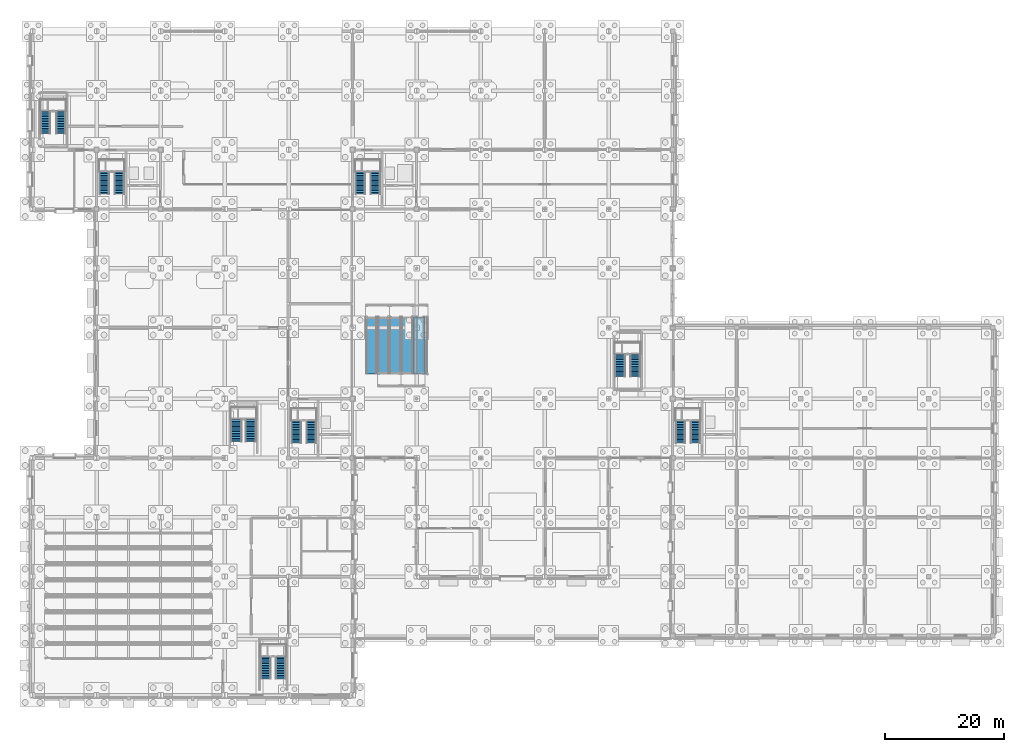
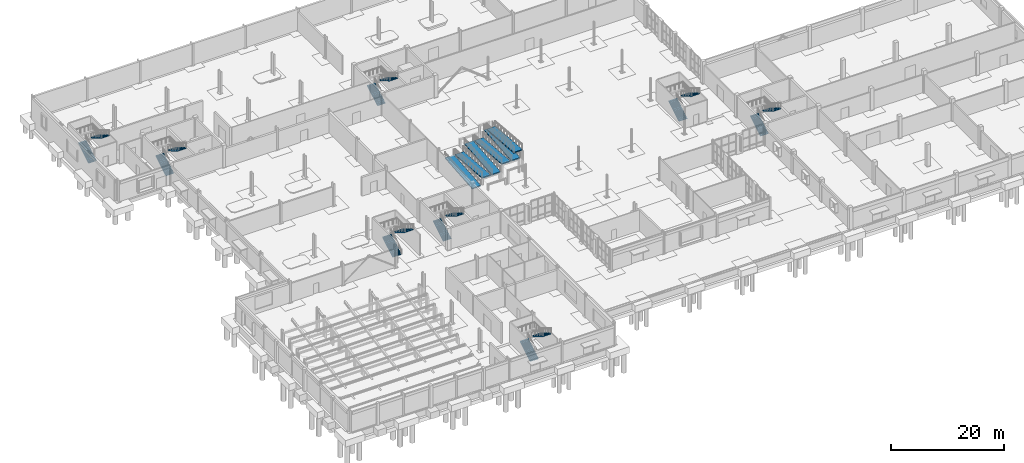
# One storey, part 59 of 73: 16 stair flights, 6 ramp flights, 9 elements without a shape of their own.
"""IFC4 building model written with IfcOpenShell, lengths in metres."""

from ifc_helpers import new_model, si_unit, direction, frame, origin, place, context, subcontext, project, spatial, polyline, outline, extrude, material, layer, layer_set, type_object, element, aggregate, save


model = new_model("IFC4")

# Units and contexts
model_context = context("Model", 3, precision=1e-05, world=origin(), true_north=direction((0.0, 1.0)))
body_context = subcontext(model_context, "Body", "Model", "MODEL_VIEW")
ifc_project = project(units=[si_unit("LENGTHUNIT", "METRE"), si_unit("AREAUNIT", "SQUARE_METRE"), si_unit("VOLUMEUNIT", "CUBIC_METRE"), si_unit("PLANEANGLEUNIT", "RADIAN"), si_unit("MASSUNIT", "GRAM", prefix="KILO")], contexts=[model_context])

# Site, building, storey
site_placement = place(None, origin())
site = spatial("IfcSite", under=ifc_project, at=site_placement, CompositionType="ELEMENT")
building_placement = place(site_placement, origin())
building = spatial("IfcBuilding", under=site, at=building_placement, Name="Tasgan Crest Museum", CompositionType="ELEMENT")
storey_placement = place(building_placement, origin())
storey = spatial("IfcBuildingStorey", under=building, at=storey_placement, Name="L00", CompositionType="ELEMENT", Elevation=0.0)

# Stair, stair flights
ifc_material_1 = material(Name="Concrete C35/45", Category="concrete")
stair_type_1 = type_object("IfcStairType", Name="ST-CORE-48", PredefinedType="HALF_TURN_STAIR", material=ifc_material_1)
stair_1_placement = place(storey_placement, origin())
stair_1 = element("IfcStair", 1, at=stair_1_placement, inside=storey, type_object=stair_type_1, Name="Stair ST-GP-L00 L00", PredefinedType="HALF_TURN_STAIR")
ifc_material_2 = material(Name="Concrete C35/45", Category="concrete")
stair_flight_type_1 = type_object("IfcStairFlightType", Name="SF-PLINTH-1800", PredefinedType="STRAIGHT", material=ifc_material_2)
stair_flight_1_placement = place(storey_placement, frame((34.3798828125, 42.75, 0.0), z_axis=(0.0, 0.0, 1.0), x_axis=(0.0, 1.0, 0.0)))
stair_flight_1 = element("IfcStairFlight", 2, at=stair_flight_1_placement, type_object=stair_flight_type_1, Name="ST-GP-L00 flight 1", NumberOfRisers=14, NumberOfTreads=13, PredefinedType="STRAIGHT", RiserHeight=0.171428571, TreadLength=0.285, context=body_context, shape_type="SweptSolid", body=[
    extrude(outline(polyline([(0.0, 0.0), (0.0, 0.17138671875), (0.284912109375, 0.17138671875), (0.284912109375, 0.3427734375), (0.570068359375, 0.3427734375), (0.570068359375, 0.514404296875), (0.85498046875, 0.514404296875), (0.85498046875, 0.685791015625), (1.139892578125, 0.685791015625), (1.139892578125, 0.857177734375), (1.425048828125, 0.857177734375), (1.425048828125, 1.028564453125), (1.7099609375, 1.028564453125), (1.7099609375, 1.199951171875), (1.9951171875, 1.199951171875), (1.9951171875, 1.371337890625), (2.280029296875, 1.371337890625), (2.280029296875, 1.54296875), (2.56494140625, 1.54296875), (2.56494140625, 1.71435546875), (2.85009765625, 1.71435546875), (2.85009765625, 1.8857421875), (3.135009765625, 1.8857421875), (3.135009765625, 2.05712890625), (3.419921875, 2.05712890625), (3.419921875, 2.228515625), (3.705078125, 2.228515625), (3.705078125, 2.39990234375), (3.705078125, 2.0537109375), (0.290771484375, 0.0), (0.0, 0.0)])), frame((0.0, 0.89990234375, 0.0), z_axis=(0.0, -1.0, 0.0), x_axis=(1.0, 0.0, 0.0)), (0.0, 0.0, 1.0), 1.800048828125),
])
stair_flight_2_placement = place(storey_placement, frame((36.820068359375, 46.455078125, 2.39990234375), z_axis=(0.0, 0.0, 1.0), x_axis=(0.0, -1.0, 0.0)))
stair_flight_2 = element("IfcStairFlight", 3, at=stair_flight_2_placement, type_object=stair_flight_type_1, Name="ST-GP-L00 flight 2", NumberOfRisers=14, NumberOfTreads=13, PredefinedType="STRAIGHT", RiserHeight=0.171428571, TreadLength=0.285, context=body_context, shape_type="SweptSolid", body=[
    extrude(outline(polyline([(0.0, 0.0), (0.0, 0.17138671875), (0.284912109375, 0.17138671875), (0.284912109375, 0.3427734375), (0.570068359375, 0.3427734375), (0.570068359375, 0.514404296875), (0.85498046875, 0.514404296875), (0.85498046875, 0.685791015625), (1.139892578125, 0.685791015625), (1.139892578125, 0.857177734375), (1.425048828125, 0.857177734375), (1.425048828125, 1.028564453125), (1.7099609375, 1.028564453125), (1.7099609375, 1.199951171875), (1.9951171875, 1.199951171875), (1.9951171875, 1.371337890625), (2.280029296875, 1.371337890625), (2.280029296875, 1.54296875), (2.56494140625, 1.54296875), (2.56494140625, 1.71435546875), (2.85009765625, 1.71435546875), (2.85009765625, 1.8857421875), (3.135009765625, 1.8857421875), (3.135009765625, 2.05712890625), (3.419921875, 2.05712890625), (3.419921875, 2.228515625), (3.705078125, 2.228515625), (3.705078125, 2.39990234375), (3.705078125, 2.0537109375), (0.290771484375, 0.0), (0.0, 0.0)])), frame((0.0, 0.89990234375, 0.0), z_axis=(0.0, -1.0, 0.0), x_axis=(1.0, 0.0, 0.0)), (0.0, 0.0, 1.0), 1.800048828125),
])
aggregate(stair_1, [stair_flight_1, stair_flight_2])

stair_2_placement = place(storey_placement, origin())
stair_2 = element("IfcStair", 4, at=stair_2_placement, inside=storey, type_object=stair_type_1, Name="Stair ST-NW-L00 L00", PredefinedType="HALF_TURN_STAIR")
ifc_material_3 = material(Name="Concrete C35/45", Category="concrete")
stair_flight_type_2 = type_object("IfcStairFlightType", Name="SF-RC-1620", PredefinedType="STRAIGHT", material=ifc_material_3)
stair_flight_3_placement = place(storey_placement, frame((12.110107421875, 84.550048828125, 0.0), z_axis=(0.0, 0.0, 1.0), x_axis=(0.0, 1.0, 0.0)))
stair_flight_3 = element("IfcStairFlight", 5, at=stair_flight_3_placement, type_object=stair_flight_type_2, Name="ST-NW-L00 flight 1", NumberOfRisers=14, NumberOfTreads=13, PredefinedType="STRAIGHT", RiserHeight=0.171428571, TreadLength=0.285, context=body_context, shape_type="SweptSolid", body=[
    extrude(outline(polyline([(0.0, 0.0), (0.0, 0.17138671875), (0.284912109375, 0.17138671875), (0.284912109375, 0.3427734375), (0.570068359375, 0.3427734375), (0.570068359375, 0.514404296875), (0.85498046875, 0.514404296875), (0.85498046875, 0.685791015625), (1.139892578125, 0.685791015625), (1.139892578125, 0.857177734375), (1.425048828125, 0.857177734375), (1.425048828125, 1.028564453125), (1.7099609375, 1.028564453125), (1.7099609375, 1.199951171875), (1.9951171875, 1.199951171875), (1.9951171875, 1.371337890625), (2.280029296875, 1.371337890625), (2.280029296875, 1.54296875), (2.56494140625, 1.54296875), (2.56494140625, 1.71435546875), (2.85009765625, 1.71435546875), (2.85009765625, 1.8857421875), (3.135009765625, 1.8857421875), (3.135009765625, 2.05712890625), (3.419921875, 2.05712890625), (3.419921875, 2.228515625), (3.705078125, 2.228515625), (3.705078125, 2.39990234375), (3.705078125, 2.0537109375), (0.290771484375, 0.0), (0.0, 0.0)])), frame((0.0, 0.81005859375, 0.0), z_axis=(0.0, -1.0, 0.0), x_axis=(1.0, 0.0, 0.0)), (0.0, 0.0, 1.0), 1.6201171875),
])
stair_flight_4_placement = place(storey_placement, frame((14.639892578125, 88.2548828125, 2.39990234375), z_axis=(0.0, 0.0, 1.0), x_axis=(0.0, -1.0, 0.0)))
stair_flight_4 = element("IfcStairFlight", 6, at=stair_flight_4_placement, type_object=stair_flight_type_2, Name="ST-NW-L00 flight 2", NumberOfRisers=14, NumberOfTreads=13, PredefinedType="STRAIGHT", RiserHeight=0.171428571, TreadLength=0.285, context=body_context, shape_type="SweptSolid", body=[
    extrude(outline(polyline([(0.0, 0.0), (0.0, 0.17138671875), (0.284912109375, 0.17138671875), (0.284912109375, 0.3427734375), (0.570068359375, 0.3427734375), (0.570068359375, 0.514404296875), (0.85498046875, 0.514404296875), (0.85498046875, 0.685791015625), (1.139892578125, 0.685791015625), (1.139892578125, 0.857177734375), (1.425048828125, 0.857177734375), (1.425048828125, 1.028564453125), (1.7099609375, 1.028564453125), (1.7099609375, 1.199951171875), (1.9951171875, 1.199951171875), (1.9951171875, 1.371337890625), (2.280029296875, 1.371337890625), (2.280029296875, 1.54296875), (2.56494140625, 1.54296875), (2.56494140625, 1.71435546875), (2.85009765625, 1.71435546875), (2.85009765625, 1.8857421875), (3.135009765625, 1.8857421875), (3.135009765625, 2.05712890625), (3.419921875, 2.05712890625), (3.419921875, 2.228515625), (3.705078125, 2.228515625), (3.705078125, 2.39990234375), (3.705078125, 2.0537109375), (0.290771484375, 0.0), (0.0, 0.0)])), frame((0.0, 0.81005859375, 0.0), z_axis=(0.0, -1.0, 0.0), x_axis=(1.0, 0.0, 0.0)), (0.0, 0.0, 1.0), 1.6201171875),
])
aggregate(stair_2, [stair_flight_3, stair_flight_4])

stair_3_placement = place(storey_placement, origin())
stair_3 = element("IfcStair", 7, at=stair_3_placement, inside=storey, type_object=stair_type_1, Name="Stair ST-NC-L00 L00", PredefinedType="HALF_TURN_STAIR")
stair_flight_5_placement = place(storey_placement, frame((55.31005859375, 84.550048828125, 0.0), z_axis=(0.0, 0.0, 1.0), x_axis=(0.0, 1.0, 0.0)))
stair_flight_5 = element("IfcStairFlight", 8, at=stair_flight_5_placement, type_object=stair_flight_type_2, Name="ST-NC-L00 flight 1", NumberOfRisers=14, NumberOfTreads=13, PredefinedType="STRAIGHT", RiserHeight=0.171428571, TreadLength=0.285, context=body_context, shape_type="SweptSolid", body=[
    extrude(outline(polyline([(0.0, 0.0), (0.0, 0.17138671875), (0.284912109375, 0.17138671875), (0.284912109375, 0.3427734375), (0.570068359375, 0.3427734375), (0.570068359375, 0.514404296875), (0.85498046875, 0.514404296875), (0.85498046875, 0.685791015625), (1.139892578125, 0.685791015625), (1.139892578125, 0.857177734375), (1.425048828125, 0.857177734375), (1.425048828125, 1.028564453125), (1.7099609375, 1.028564453125), (1.7099609375, 1.199951171875), (1.9951171875, 1.199951171875), (1.9951171875, 1.371337890625), (2.280029296875, 1.371337890625), (2.280029296875, 1.54296875), (2.56494140625, 1.54296875), (2.56494140625, 1.71435546875), (2.85009765625, 1.71435546875), (2.85009765625, 1.8857421875), (3.135009765625, 1.8857421875), (3.135009765625, 2.05712890625), (3.419921875, 2.05712890625), (3.419921875, 2.228515625), (3.705078125, 2.228515625), (3.705078125, 2.39990234375), (3.705078125, 2.0537109375), (0.290771484375, 0.0), (0.0, 0.0)])), frame((0.0, 0.81005859375, 0.0), z_axis=(0.0, -1.0, 0.0), x_axis=(1.0, 0.0, 0.0)), (0.0, 0.0, 1.0), 1.6201171875),
])
stair_flight_6_placement = place(storey_placement, frame((57.840087890625, 88.2548828125, 2.39990234375), z_axis=(0.0, 0.0, 1.0), x_axis=(0.0, -1.0, 0.0)))
stair_flight_6 = element("IfcStairFlight", 9, at=stair_flight_6_placement, type_object=stair_flight_type_2, Name="ST-NC-L00 flight 2", NumberOfRisers=14, NumberOfTreads=13, PredefinedType="STRAIGHT", RiserHeight=0.171428571, TreadLength=0.285, context=body_context, shape_type="SweptSolid", body=[
    extrude(outline(polyline([(0.0, 0.0), (0.0, 0.17138671875), (0.284912109375, 0.17138671875), (0.284912109375, 0.3427734375), (0.570068359375, 0.3427734375), (0.570068359375, 0.514404296875), (0.85498046875, 0.514404296875), (0.85498046875, 0.685791015625), (1.139892578125, 0.685791015625), (1.139892578125, 0.857177734375), (1.425048828125, 0.857177734375), (1.425048828125, 1.028564453125), (1.7099609375, 1.028564453125), (1.7099609375, 1.199951171875), (1.9951171875, 1.199951171875), (1.9951171875, 1.371337890625), (2.280029296875, 1.371337890625), (2.280029296875, 1.54296875), (2.56494140625, 1.54296875), (2.56494140625, 1.71435546875), (2.85009765625, 1.71435546875), (2.85009765625, 1.8857421875), (3.135009765625, 1.8857421875), (3.135009765625, 2.05712890625), (3.419921875, 2.05712890625), (3.419921875, 2.228515625), (3.705078125, 2.228515625), (3.705078125, 2.39990234375), (3.705078125, 2.0537109375), (0.290771484375, 0.0), (0.0, 0.0)])), frame((0.0, 0.81005859375, 0.0), z_axis=(0.0, -1.0, 0.0), x_axis=(1.0, 0.0, 0.0)), (0.0, 0.0, 1.0), 1.6201171875),
])
aggregate(stair_3, [stair_flight_5, stair_flight_6])

stair_4_placement = place(storey_placement, origin())
stair_4 = element("IfcStair", 10, at=stair_4_placement, inside=storey, type_object=stair_type_1, Name="Stair ST-SE-L00 L00", PredefinedType="HALF_TURN_STAIR")
stair_flight_7_placement = place(storey_placement, frame((109.31005859375, 42.550048828125, 0.0), z_axis=(0.0, 0.0, 1.0), x_axis=(0.0, 1.0, 0.0)))
stair_flight_7 = element("IfcStairFlight", 11, at=stair_flight_7_placement, type_object=stair_flight_type_2, Name="ST-SE-L00 flight 1", NumberOfRisers=14, NumberOfTreads=13, PredefinedType="STRAIGHT", RiserHeight=0.171428571, TreadLength=0.285, context=body_context, shape_type="SweptSolid", body=[
    extrude(outline(polyline([(0.0, 0.0), (0.0, 0.17138671875), (0.284912109375, 0.17138671875), (0.284912109375, 0.3427734375), (0.570068359375, 0.3427734375), (0.570068359375, 0.514404296875), (0.85498046875, 0.514404296875), (0.85498046875, 0.685791015625), (1.139892578125, 0.685791015625), (1.139892578125, 0.857177734375), (1.425048828125, 0.857177734375), (1.425048828125, 1.028564453125), (1.7099609375, 1.028564453125), (1.7099609375, 1.199951171875), (1.9951171875, 1.199951171875), (1.9951171875, 1.371337890625), (2.280029296875, 1.371337890625), (2.280029296875, 1.54296875), (2.56494140625, 1.54296875), (2.56494140625, 1.71435546875), (2.85009765625, 1.71435546875), (2.85009765625, 1.8857421875), (3.135009765625, 1.8857421875), (3.135009765625, 2.05712890625), (3.419921875, 2.05712890625), (3.419921875, 2.228515625), (3.705078125, 2.228515625), (3.705078125, 2.39990234375), (3.705078125, 2.0537109375), (0.290771484375, 0.0), (0.0, 0.0)])), frame((0.0, 0.81005859375, 0.0), z_axis=(0.0, -1.0, 0.0), x_axis=(1.0, 0.0, 0.0)), (0.0, 0.0, 1.0), 1.6201171875),
])
stair_flight_8_placement = place(storey_placement, frame((111.840087890625, 46.2548828125, 2.39990234375), z_axis=(0.0, 0.0, 1.0), x_axis=(0.0, -1.0, 0.0)))
stair_flight_8 = element("IfcStairFlight", 12, at=stair_flight_8_placement, type_object=stair_flight_type_2, Name="ST-SE-L00 flight 2", NumberOfRisers=14, NumberOfTreads=13, PredefinedType="STRAIGHT", RiserHeight=0.171428571, TreadLength=0.285, context=body_context, shape_type="SweptSolid", body=[
    extrude(outline(polyline([(0.0, 0.0), (0.0, 0.17138671875), (0.284912109375, 0.17138671875), (0.284912109375, 0.3427734375), (0.570068359375, 0.3427734375), (0.570068359375, 0.514404296875), (0.85498046875, 0.514404296875), (0.85498046875, 0.685791015625), (1.139892578125, 0.685791015625), (1.139892578125, 0.857177734375), (1.425048828125, 0.857177734375), (1.425048828125, 1.028564453125), (1.7099609375, 1.028564453125), (1.7099609375, 1.199951171875), (1.9951171875, 1.199951171875), (1.9951171875, 1.371337890625), (2.280029296875, 1.371337890625), (2.280029296875, 1.54296875), (2.56494140625, 1.54296875), (2.56494140625, 1.71435546875), (2.85009765625, 1.71435546875), (2.85009765625, 1.8857421875), (3.135009765625, 1.8857421875), (3.135009765625, 2.05712890625), (3.419921875, 2.05712890625), (3.419921875, 2.228515625), (3.705078125, 2.228515625), (3.705078125, 2.39990234375), (3.705078125, 2.0537109375), (0.290771484375, 0.0), (0.0, 0.0)])), frame((0.0, 0.81005859375, 0.0), z_axis=(0.0, -1.0, 0.0), x_axis=(1.0, 0.0, 0.0)), (0.0, 0.0, 1.0), 1.6201171875),
])
aggregate(stair_4, [stair_flight_7, stair_flight_8])

stair_5_placement = place(storey_placement, origin())
stair_5 = element("IfcStair", 13, at=stair_5_placement, inside=storey, type_object=stair_type_1, Name="Stair ST-SW-L00 L00", PredefinedType="HALF_TURN_STAIR")
stair_flight_9_placement = place(storey_placement, frame((44.510009765625, 42.550048828125, 0.0), z_axis=(0.0, 0.0, 1.0), x_axis=(0.0, 1.0, 0.0)))
stair_flight_9 = element("IfcStairFlight", 14, at=stair_flight_9_placement, type_object=stair_flight_type_2, Name="ST-SW-L00 flight 1", NumberOfRisers=14, NumberOfTreads=13, PredefinedType="STRAIGHT", RiserHeight=0.171428571, TreadLength=0.285, context=body_context, shape_type="SweptSolid", body=[
    extrude(outline(polyline([(0.0, 0.0), (0.0, 0.17138671875), (0.284912109375, 0.17138671875), (0.284912109375, 0.3427734375), (0.570068359375, 0.3427734375), (0.570068359375, 0.514404296875), (0.85498046875, 0.514404296875), (0.85498046875, 0.685791015625), (1.139892578125, 0.685791015625), (1.139892578125, 0.857177734375), (1.425048828125, 0.857177734375), (1.425048828125, 1.028564453125), (1.7099609375, 1.028564453125), (1.7099609375, 1.199951171875), (1.9951171875, 1.199951171875), (1.9951171875, 1.371337890625), (2.280029296875, 1.371337890625), (2.280029296875, 1.54296875), (2.56494140625, 1.54296875), (2.56494140625, 1.71435546875), (2.85009765625, 1.71435546875), (2.85009765625, 1.8857421875), (3.135009765625, 1.8857421875), (3.135009765625, 2.05712890625), (3.419921875, 2.05712890625), (3.419921875, 2.228515625), (3.705078125, 2.228515625), (3.705078125, 2.39990234375), (3.705078125, 2.0537109375), (0.290771484375, 0.0), (0.0, 0.0)])), frame((0.0, 0.81005859375, 0.0), z_axis=(0.0, -1.0, 0.0), x_axis=(1.0, 0.0, 0.0)), (0.0, 0.0, 1.0), 1.6201171875),
])
stair_flight_10_placement = place(storey_placement, frame((47.0400390625, 46.2548828125, 2.39990234375), z_axis=(0.0, 0.0, 1.0), x_axis=(0.0, -1.0, 0.0)))
stair_flight_10 = element("IfcStairFlight", 15, at=stair_flight_10_placement, type_object=stair_flight_type_2, Name="ST-SW-L00 flight 2", NumberOfRisers=14, NumberOfTreads=13, PredefinedType="STRAIGHT", RiserHeight=0.171428571, TreadLength=0.285, context=body_context, shape_type="SweptSolid", body=[
    extrude(outline(polyline([(0.0, 0.0), (0.0, 0.17138671875), (0.284912109375, 0.17138671875), (0.284912109375, 0.3427734375), (0.570068359375, 0.3427734375), (0.570068359375, 0.514404296875), (0.85498046875, 0.514404296875), (0.85498046875, 0.685791015625), (1.139892578125, 0.685791015625), (1.139892578125, 0.857177734375), (1.425048828125, 0.857177734375), (1.425048828125, 1.028564453125), (1.7099609375, 1.028564453125), (1.7099609375, 1.199951171875), (1.9951171875, 1.199951171875), (1.9951171875, 1.371337890625), (2.280029296875, 1.371337890625), (2.280029296875, 1.54296875), (2.56494140625, 1.54296875), (2.56494140625, 1.71435546875), (2.85009765625, 1.71435546875), (2.85009765625, 1.8857421875), (3.135009765625, 1.8857421875), (3.135009765625, 2.05712890625), (3.419921875, 2.05712890625), (3.419921875, 2.228515625), (3.705078125, 2.228515625), (3.705078125, 2.39990234375), (3.705078125, 2.0537109375), (0.290771484375, 0.0), (0.0, 0.0)])), frame((0.0, 0.81005859375, 0.0), z_axis=(0.0, -1.0, 0.0), x_axis=(1.0, 0.0, 0.0)), (0.0, 0.0, 1.0), 1.6201171875),
])
aggregate(stair_5, [stair_flight_9, stair_flight_10])

stair_6_placement = place(storey_placement, origin())
stair_6 = element("IfcStair", 16, at=stair_6_placement, inside=storey, type_object=stair_type_1, Name="Stair ST-GW-L00 L00", PredefinedType="HALF_TURN_STAIR")
stair_flight_11_placement = place(storey_placement, frame((2.18994140625, 94.75, 0.0), z_axis=(0.0, 0.0, 1.0), x_axis=(0.0, 1.0, 0.0)))
stair_flight_11 = element("IfcStairFlight", 17, at=stair_flight_11_placement, type_object=stair_flight_type_2, Name="ST-GW-L00 flight 1", NumberOfRisers=14, NumberOfTreads=13, PredefinedType="STRAIGHT", RiserHeight=0.171428571, TreadLength=0.285, context=body_context, shape_type="SweptSolid", body=[
    extrude(outline(polyline([(0.0, 0.0), (0.0, 0.17138671875), (0.284912109375, 0.17138671875), (0.284912109375, 0.3427734375), (0.570068359375, 0.3427734375), (0.570068359375, 0.514404296875), (0.85498046875, 0.514404296875), (0.85498046875, 0.685791015625), (1.139892578125, 0.685791015625), (1.139892578125, 0.857177734375), (1.425048828125, 0.857177734375), (1.425048828125, 1.028564453125), (1.7099609375, 1.028564453125), (1.7099609375, 1.199951171875), (1.9951171875, 1.199951171875), (1.9951171875, 1.371337890625), (2.280029296875, 1.371337890625), (2.280029296875, 1.54296875), (2.56494140625, 1.54296875), (2.56494140625, 1.71435546875), (2.85009765625, 1.71435546875), (2.85009765625, 1.8857421875), (3.135009765625, 1.8857421875), (3.135009765625, 2.05712890625), (3.419921875, 2.05712890625), (3.419921875, 2.228515625), (3.705078125, 2.228515625), (3.705078125, 2.39990234375), (3.705078125, 2.0537109375), (0.290771484375, 0.0), (0.0, 0.0)])), frame((0.0, 0.81005859375, 0.0), z_axis=(0.0, -1.0, 0.0), x_axis=(1.0, 0.0, 0.0)), (0.0, 0.0, 1.0), 1.6201171875),
])
stair_flight_12_placement = place(storey_placement, frame((4.81005859375, 98.455078125, 2.39990234375), z_axis=(0.0, 0.0, 1.0), x_axis=(0.0, -1.0, 0.0)))
stair_flight_12 = element("IfcStairFlight", 18, at=stair_flight_12_placement, type_object=stair_flight_type_2, Name="ST-GW-L00 flight 2", NumberOfRisers=14, NumberOfTreads=13, PredefinedType="STRAIGHT", RiserHeight=0.171428571, TreadLength=0.285, context=body_context, shape_type="SweptSolid", body=[
    extrude(outline(polyline([(0.0, 0.0), (0.0, 0.17138671875), (0.284912109375, 0.17138671875), (0.284912109375, 0.3427734375), (0.570068359375, 0.3427734375), (0.570068359375, 0.514404296875), (0.85498046875, 0.514404296875), (0.85498046875, 0.685791015625), (1.139892578125, 0.685791015625), (1.139892578125, 0.857177734375), (1.425048828125, 0.857177734375), (1.425048828125, 1.028564453125), (1.7099609375, 1.028564453125), (1.7099609375, 1.199951171875), (1.9951171875, 1.199951171875), (1.9951171875, 1.371337890625), (2.280029296875, 1.371337890625), (2.280029296875, 1.54296875), (2.56494140625, 1.54296875), (2.56494140625, 1.71435546875), (2.85009765625, 1.71435546875), (2.85009765625, 1.8857421875), (3.135009765625, 1.8857421875), (3.135009765625, 2.05712890625), (3.419921875, 2.05712890625), (3.419921875, 2.228515625), (3.705078125, 2.228515625), (3.705078125, 2.39990234375), (3.705078125, 2.0537109375), (0.290771484375, 0.0), (0.0, 0.0)])), frame((0.0, 0.81005859375, 0.0), z_axis=(0.0, -1.0, 0.0), x_axis=(1.0, 0.0, 0.0)), (0.0, 0.0, 1.0), 1.6201171875),
])
aggregate(stair_6, [stair_flight_11, stair_flight_12])

ifc_material_4 = material(Name="Steel S355J2", Category="steel")
stair_type_2 = type_object("IfcStairType", Name="ST-FEAT-48", PredefinedType="HALF_TURN_STAIR", material=ifc_material_4)
stair_7_placement = place(storey_placement, origin())
stair_7 = element("IfcStair", 19, at=stair_7_placement, inside=storey, type_object=stair_type_2, Name="Stair ST-AT-L00 L00", PredefinedType="HALF_TURN_STAIR")
ifc_material_5 = material(Name="Steel S355J2", Category="steel")
stair_flight_type_3 = type_object("IfcStairFlightType", Name="SF-STL-1700", PredefinedType="STRAIGHT", material=ifc_material_5)
stair_flight_13_placement = place(storey_placement, frame((99.1298828125, 53.75, 0.0), z_axis=(0.0, 0.0, 1.0), x_axis=(0.0, 1.0, 0.0)))
stair_flight_13 = element("IfcStairFlight", 20, at=stair_flight_13_placement, type_object=stair_flight_type_3, Name="ST-AT-L00 flight 1", NumberOfRisers=14, NumberOfTreads=13, PredefinedType="STRAIGHT", RiserHeight=0.171428571, TreadLength=0.285, context=body_context, shape_type="SweptSolid", body=[
    extrude(outline(polyline([(0.0, 0.0), (0.0, 0.17138671875), (0.284912109375, 0.17138671875), (0.284912109375, 0.3427734375), (0.570068359375, 0.3427734375), (0.570068359375, 0.514404296875), (0.85498046875, 0.514404296875), (0.85498046875, 0.685791015625), (1.139892578125, 0.685791015625), (1.139892578125, 0.857177734375), (1.425048828125, 0.857177734375), (1.425048828125, 1.028564453125), (1.7099609375, 1.028564453125), (1.7099609375, 1.199951171875), (1.9951171875, 1.199951171875), (1.9951171875, 1.371337890625), (2.280029296875, 1.371337890625), (2.280029296875, 1.54296875), (2.56494140625, 1.54296875), (2.56494140625, 1.71435546875), (2.85009765625, 1.71435546875), (2.85009765625, 1.8857421875), (3.135009765625, 1.8857421875), (3.135009765625, 2.05712890625), (3.419921875, 2.05712890625), (3.419921875, 2.228515625), (3.705078125, 2.228515625), (3.705078125, 2.39990234375), (3.705078125, 2.0537109375), (0.290771484375, 0.0), (0.0, 0.0)])), frame((0.0, 0.85009765625, 0.0), z_axis=(0.0, -1.0, 0.0), x_axis=(1.0, 0.0, 0.0)), (0.0, 0.0, 1.0), 1.699951171875),
])
stair_flight_14_placement = place(storey_placement, frame((101.669921875, 57.455078125, 2.39990234375), z_axis=(0.0, 0.0, 1.0), x_axis=(0.0, -1.0, 0.0)))
stair_flight_14 = element("IfcStairFlight", 21, at=stair_flight_14_placement, type_object=stair_flight_type_3, Name="ST-AT-L00 flight 2", NumberOfRisers=14, NumberOfTreads=13, PredefinedType="STRAIGHT", RiserHeight=0.171428571, TreadLength=0.285, context=body_context, shape_type="SweptSolid", body=[
    extrude(outline(polyline([(0.0, 0.0), (0.0, 0.17138671875), (0.284912109375, 0.17138671875), (0.284912109375, 0.3427734375), (0.570068359375, 0.3427734375), (0.570068359375, 0.514404296875), (0.85498046875, 0.514404296875), (0.85498046875, 0.685791015625), (1.139892578125, 0.685791015625), (1.139892578125, 0.857177734375), (1.425048828125, 0.857177734375), (1.425048828125, 1.028564453125), (1.7099609375, 1.028564453125), (1.7099609375, 1.199951171875), (1.9951171875, 1.199951171875), (1.9951171875, 1.371337890625), (2.280029296875, 1.371337890625), (2.280029296875, 1.54296875), (2.56494140625, 1.54296875), (2.56494140625, 1.71435546875), (2.85009765625, 1.71435546875), (2.85009765625, 1.8857421875), (3.135009765625, 1.8857421875), (3.135009765625, 2.05712890625), (3.419921875, 2.05712890625), (3.419921875, 2.228515625), (3.705078125, 2.228515625), (3.705078125, 2.39990234375), (3.705078125, 2.0537109375), (0.290771484375, 0.0), (0.0, 0.0)])), frame((0.0, 0.85009765625, 0.0), z_axis=(0.0, -1.0, 0.0), x_axis=(1.0, 0.0, 0.0)), (0.0, 0.0, 1.0), 1.699951171875),
])
aggregate(stair_7, [stair_flight_13, stair_flight_14])

stair_8_placement = place(storey_placement, origin())
stair_8 = element("IfcStair", 22, at=stair_8_placement, inside=storey, type_object=stair_type_2, Name="Stair ST-FS-L00 L00", PredefinedType="HALF_TURN_STAIR")
stair_flight_15_placement = place(storey_placement, frame((39.330078125, 2.75, 0.0), z_axis=(0.0, 0.0, 1.0), x_axis=(0.0, 1.0, 0.0)))
stair_flight_15 = element("IfcStairFlight", 23, at=stair_flight_15_placement, type_object=stair_flight_type_3, Name="ST-FS-L00 flight 1", NumberOfRisers=14, NumberOfTreads=13, PredefinedType="STRAIGHT", RiserHeight=0.171428571, TreadLength=0.285, context=body_context, shape_type="SweptSolid", body=[
    extrude(outline(polyline([(0.0, 0.0), (0.0, 0.17138671875), (0.284912109375, 0.17138671875), (0.284912109375, 0.3427734375), (0.570068359375, 0.3427734375), (0.570068359375, 0.514404296875), (0.85498046875, 0.514404296875), (0.85498046875, 0.685791015625), (1.139892578125, 0.685791015625), (1.139892578125, 0.857177734375), (1.425048828125, 0.857177734375), (1.425048828125, 1.028564453125), (1.7099609375, 1.028564453125), (1.7099609375, 1.199951171875), (1.9951171875, 1.199951171875), (1.9951171875, 1.371337890625), (2.280029296875, 1.371337890625), (2.280029296875, 1.54296875), (2.56494140625, 1.54296875), (2.56494140625, 1.71435546875), (2.85009765625, 1.71435546875), (2.85009765625, 1.8857421875), (3.135009765625, 1.8857421875), (3.135009765625, 2.05712890625), (3.419921875, 2.05712890625), (3.419921875, 2.228515625), (3.705078125, 2.228515625), (3.705078125, 2.39990234375), (3.705078125, 2.0537109375), (0.290771484375, 0.0), (0.0, 0.0)])), frame((0.0, 0.85009765625, 0.0), z_axis=(0.0, -1.0, 0.0), x_axis=(1.0, 0.0, 0.0)), (0.0, 0.0, 1.0), 1.699951171875),
])
stair_flight_16_placement = place(storey_placement, frame((41.8701171875, 6.455078125, 2.39990234375), z_axis=(0.0, 0.0, 1.0), x_axis=(0.0, -1.0, 0.0)))
stair_flight_16 = element("IfcStairFlight", 24, at=stair_flight_16_placement, type_object=stair_flight_type_3, Name="ST-FS-L00 flight 2", NumberOfRisers=14, NumberOfTreads=13, PredefinedType="STRAIGHT", RiserHeight=0.171428571, TreadLength=0.285, context=body_context, shape_type="SweptSolid", body=[
    extrude(outline(polyline([(0.0, 0.0), (0.0, 0.17138671875), (0.284912109375, 0.17138671875), (0.284912109375, 0.3427734375), (0.570068359375, 0.3427734375), (0.570068359375, 0.514404296875), (0.85498046875, 0.514404296875), (0.85498046875, 0.685791015625), (1.139892578125, 0.685791015625), (1.139892578125, 0.857177734375), (1.425048828125, 0.857177734375), (1.425048828125, 1.028564453125), (1.7099609375, 1.028564453125), (1.7099609375, 1.199951171875), (1.9951171875, 1.199951171875), (1.9951171875, 1.371337890625), (2.280029296875, 1.371337890625), (2.280029296875, 1.54296875), (2.56494140625, 1.54296875), (2.56494140625, 1.71435546875), (2.85009765625, 1.71435546875), (2.85009765625, 1.8857421875), (3.135009765625, 1.8857421875), (3.135009765625, 2.05712890625), (3.419921875, 2.05712890625), (3.419921875, 2.228515625), (3.705078125, 2.228515625), (3.705078125, 2.39990234375), (3.705078125, 2.0537109375), (0.290771484375, 0.0), (0.0, 0.0)])), frame((0.0, 0.85009765625, 0.0), z_axis=(0.0, -1.0, 0.0), x_axis=(1.0, 0.0, 0.0)), (0.0, 0.0, 1.0), 1.699951171875),
])
aggregate(stair_8, [stair_flight_15, stair_flight_16])

# Ramp, ramp flights
ifc_material_6 = material(Name="Concrete C35/45", Category="concrete")
ramp_type = type_object("IfcRampType", Name="RMP-ATRIUM-12", PredefinedType="HALF_TURN_RAMP", material=ifc_material_6)
ramp_placement = place(storey_placement, origin())
ramp = element("IfcRamp", 25, at=ramp_placement, inside=storey, type_object=ramp_type, Name="Winter-garden accessible switchback ramp", PredefinedType="HALF_TURN_RAMP")
ifc_material_7 = material(Name="Concrete C35/45", Category="concrete")
ifc_layer = layer(ifc_material_7, 0.219970703125, Name="RMF-STR-1800")
ifc_layer_set = layer_set([ifc_layer], Name="Concrete C35/45")
ramp_flight_type = type_object("IfcRampFlightType", Name="RMF-STR-1800", PredefinedType="STRAIGHT", material=ifc_layer_set)
ramp_flight_1_placement = place(storey_placement, frame((57.199951171875, 54.199951171875, 0.0), z_axis=(0.0, 0.0, 1.0), x_axis=(0.0, 1.0, 0.0)))
ramp_flight_1 = element("IfcRampFlight", 26, at=ramp_flight_1_placement, type_object=ramp_flight_type, Name="Winter-garden ramp flight 1", PredefinedType="STRAIGHT", context=body_context, shape_type="SweptSolid", body=[
    extrude(outline(polyline([(0.0, 0.0), (9.60009765625, 0.800048828125), (9.60009765625, 0.580078125), (0.0, -0.219970703125), (0.0, 0.0)])), frame((0.0, 0.89990234375, 0.0), z_axis=(0.0, -1.0, 0.0), x_axis=(1.0, 0.0, 0.0)), (0.0, 0.0, 1.0), 1.800048828125),
])
ramp_flight_2_placement = place(storey_placement, frame((59.199951171875, 63.800048828125, 0.800048828125), z_axis=(0.0, 0.0, 1.0), x_axis=(0.0, -1.0, 0.0)))
ramp_flight_2 = element("IfcRampFlight", 27, at=ramp_flight_2_placement, type_object=ramp_flight_type, Name="Winter-garden ramp flight 2", PredefinedType="STRAIGHT", context=body_context, shape_type="SweptSolid", body=[
    extrude(outline(polyline([(0.0, 0.0), (9.60009765625, 0.800048828125), (9.60009765625, 0.580078125), (0.0, -0.219970703125), (0.0, 0.0)])), frame((0.0, 0.89990234375, 0.0), z_axis=(0.0, -1.0, 0.0), x_axis=(1.0, 0.0, 0.0)), (0.0, 0.0, 1.0), 1.800048828125),
])
ramp_flight_3_placement = place(storey_placement, frame((61.199951171875, 54.199951171875, 1.60009765625), z_axis=(0.0, 0.0, 1.0), x_axis=(0.0, 1.0, 0.0)))
ramp_flight_3 = element("IfcRampFlight", 28, at=ramp_flight_3_placement, type_object=ramp_flight_type, Name="Winter-garden ramp flight 3", PredefinedType="STRAIGHT", context=body_context, shape_type="SweptSolid", body=[
    extrude(outline(polyline([(0.0, 0.0), (9.60009765625, 0.800048828125), (9.60009765625, 0.580078125), (0.0, -0.219970703125), (0.0, 0.0)])), frame((0.0, 0.89990234375, 0.0), z_axis=(0.0, -1.0, 0.0), x_axis=(1.0, 0.0, 0.0)), (0.0, 0.0, 1.0), 1.800048828125),
])
ramp_flight_4_placement = place(storey_placement, frame((63.199951171875, 63.800048828125, 2.39990234375), z_axis=(0.0, 0.0, 1.0), x_axis=(0.0, -1.0, 0.0)))
ramp_flight_4 = element("IfcRampFlight", 29, at=ramp_flight_4_placement, type_object=ramp_flight_type, Name="Winter-garden ramp flight 4", PredefinedType="STRAIGHT", context=body_context, shape_type="SweptSolid", body=[
    extrude(outline(polyline([(0.0, 0.0), (9.60009765625, 0.800048828125), (9.60009765625, 0.580078125), (0.0, -0.219970703125), (0.0, 0.0)])), frame((0.0, 0.89990234375, 0.0), z_axis=(0.0, -1.0, 0.0), x_axis=(1.0, 0.0, 0.0)), (0.0, 0.0, 1.0), 1.800048828125),
])
ramp_flight_5_placement = place(storey_placement, frame((65.199951171875, 54.199951171875, 3.199951171875), z_axis=(0.0, 0.0, 1.0), x_axis=(0.0, 1.0, 0.0)))
ramp_flight_5 = element("IfcRampFlight", 30, at=ramp_flight_5_placement, type_object=ramp_flight_type, Name="Winter-garden ramp flight 5", PredefinedType="STRAIGHT", context=body_context, shape_type="SweptSolid", body=[
    extrude(outline(polyline([(0.0, 0.0), (9.60009765625, 0.800048828125), (9.60009765625, 0.580078125), (0.0, -0.219970703125), (0.0, 0.0)])), frame((0.0, 0.89990234375, 0.0), z_axis=(0.0, -1.0, 0.0), x_axis=(1.0, 0.0, 0.0)), (0.0, 0.0, 1.0), 1.800048828125),
])
ramp_flight_6_placement = place(storey_placement, frame((65.699951171875, 63.800048828125, 4.0), z_axis=(0.0, 0.0, 1.0), x_axis=(0.0, -1.0, 0.0)))
ramp_flight_6 = element("IfcRampFlight", 31, at=ramp_flight_6_placement, type_object=ramp_flight_type, Name="Winter-garden ramp flight 6", PredefinedType="STRAIGHT", context=body_context, shape_type="SweptSolid", body=[
    extrude(outline(polyline([(0.0, 0.0), (9.60009765625, 0.800048828125), (9.60009765625, 0.580078125), (0.0, -0.219970703125), (0.0, 0.0)])), frame((0.0, 0.89990234375, 0.0), z_axis=(0.0, -1.0, 0.0), x_axis=(1.0, 0.0, 0.0)), (0.0, 0.0, 1.0), 1.800048828125),
])
aggregate(ramp, [ramp_flight_1, ramp_flight_2, ramp_flight_3, ramp_flight_4, ramp_flight_5, ramp_flight_6])

save(model, "model.ifc")
